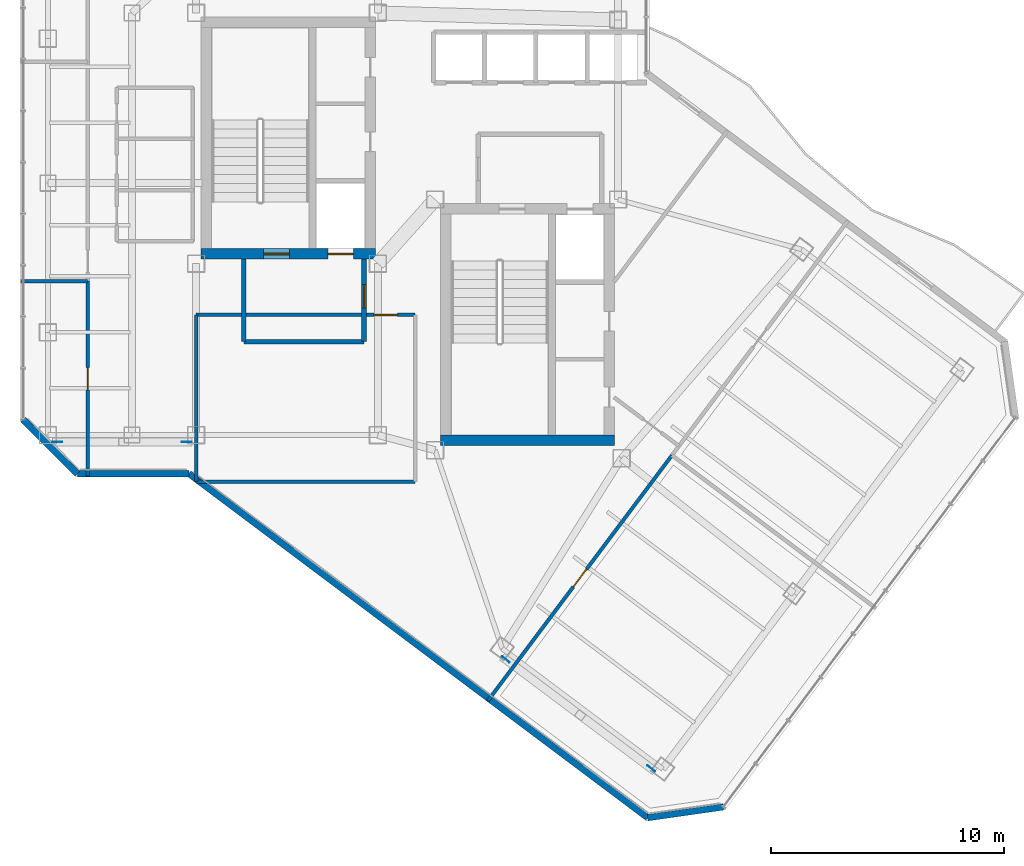
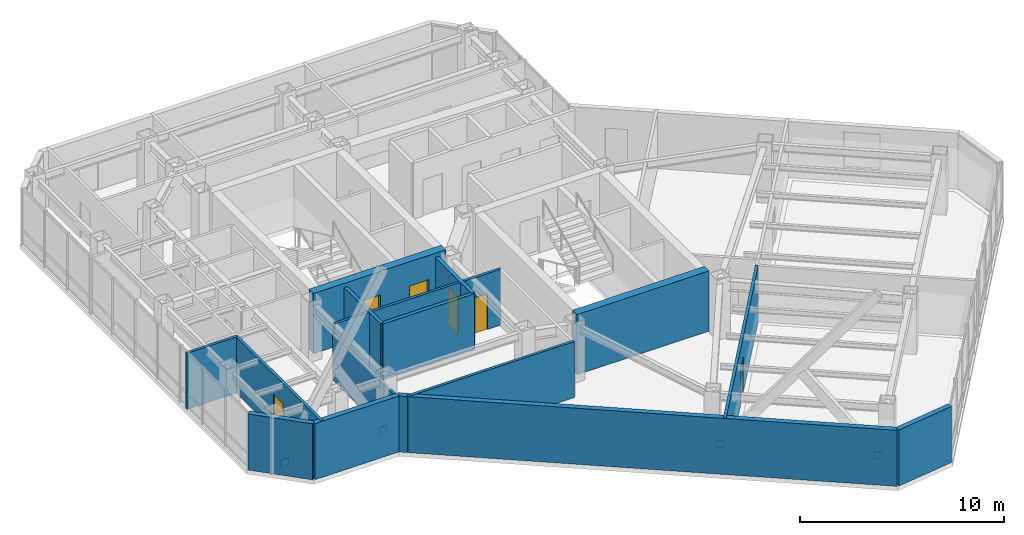
# One storey, part 19 of 24: 15 walls, 6 doors, 4 plates, 6 openings.
"""IFC4 building model written with IfcOpenShell, lengths in metres."""

import ifcopenshell
import ifcopenshell.guid

model = None  # the IFC model being written
_history = None  # IfcOwnerHistory: only IFC2X3 demands one
_inside = {}  # id of a spatial element -> (the spatial element, [elements in it])
_under = {}  # id of a project, library or spatial element -> (it, [spatial elements below it])
_declared = {}  # id of a project -> (the project, [libraries it declares])
_typed = {}  # id of a type object -> (the type object, [elements of that type])
_made_of = {}  # id of a material, layer set ... -> (it, [elements and type objects made of it])


def new_model(schema):
    """Start an empty IFC model of exactly this schema.

    Asked for "IFC4X3", IfcOpenShell would pick the latest addendum, in which some entities
    have other attributes; the version numbers below select the first issue.
    IFC2X3 requires an IfcOwnerHistory on every rooted entity: one is made here for all.
    """
    global model, _history
    if schema == "IFC4X3":
        model = ifcopenshell.file(schema_version=(4, 3, 0, 0))
    else:
        model = ifcopenshell.file(schema=schema)
    _inside.clear()
    _under.clear()
    _declared.clear()
    _typed.clear()
    _made_of.clear()
    _history = None
    if model.schema == "IFC2X3":
        org = make("IfcOrganization", Name="unknown")
        user = make(
            "IfcPersonAndOrganization",
            ThePerson=make("IfcPerson", FamilyName="unknown"),
            TheOrganization=org,
        )
        app = make(
            "IfcApplication",
            ApplicationDeveloper=org,
            Version="unknown",
            ApplicationFullName="unknown",
            ApplicationIdentifier="unknown",
        )
        _history = make(
            "IfcOwnerHistory",
            OwningUser=user,
            OwningApplication=app,
            ChangeAction="ADDED",
            CreationDate=0,
        )
    return model


def make(cls, **values):
    """One entity of the class cls with the attributes given. An attribute that is None is left unset."""
    return model.create_entity(
        cls, **{name: value for name, value in values.items() if value is not None}
    )


def rooted(cls, **values):
    """An entity with a GlobalId (a new one), such as an element, a storey or a relation."""
    return make(cls, GlobalId=ifcopenshell.guid.new(), OwnerHistory=_history, **values)


def si_unit(unit_type, name, prefix=None):
    """IfcSIUnit, for example si_unit("LENGTHUNIT", "METRE", prefix="MILLI")."""
    return make("IfcSIUnit", UnitType=unit_type, Prefix=prefix, Name=name)


def assignment(units):
    """IfcUnitAssignment: the units of a project."""
    return None if units is None else make("IfcUnitAssignment", Units=units)


def point(xyz):
    """IfcCartesianPoint."""
    return None if xyz is None else make("IfcCartesianPoint", Coordinates=xyz)


def direction(xyz):
    """IfcDirection."""
    return None if xyz is None else make("IfcDirection", DirectionRatios=xyz)


def frame(location, z_axis=None, x_axis=None):
    """IfcAxis2Placement3D, a coordinate frame: its origin and axes. An axis left out is left unset."""
    return make(
        "IfcAxis2Placement3D",
        Location=point(location),
        Axis=direction(z_axis),
        RefDirection=direction(x_axis),
    )


def frame_2d(location, x_axis=None):
    """IfcAxis2Placement2D, a coordinate frame in the plane: its origin and x axis."""
    return make(
        "IfcAxis2Placement2D", Location=point(location), RefDirection=direction(x_axis)
    )


def origin():
    """The frame at (0, 0, 0) with its axes left unset."""
    return frame((0.0, 0.0, 0.0))


def origin_2d():
    """The frame at (0, 0) in the plane with its x axis left unset."""
    return frame_2d((0.0, 0.0))


def place(relative_to, where):
    """IfcLocalPlacement: puts the frame where relative to a parent placement (None: the world)."""
    return make(
        "IfcLocalPlacement", PlacementRelTo=relative_to, RelativePlacement=where
    )


def context(
    kind, dimensions, precision=None, world=None, true_north=None, identifier=None
):
    """IfcGeometricRepresentationContext, for example the 3D "Model" context."""
    return make(
        "IfcGeometricRepresentationContext",
        ContextIdentifier=identifier,
        ContextType=kind,
        CoordinateSpaceDimension=dimensions,
        Precision=precision,
        WorldCoordinateSystem=world,
        TrueNorth=true_north,
    )


def subcontext(parent, identifier, kind, view, scale=None):
    """IfcGeometricRepresentationSubContext, for example "Body" below "Model"."""
    return make(
        "IfcGeometricRepresentationSubContext",
        ContextIdentifier=identifier,
        ContextType=kind,
        ParentContext=parent,
        TargetScale=scale,
        TargetView=view,
    )


def project(units=None, contexts=None):
    """IfcProject with its units and contexts."""
    return rooted(
        "IfcProject",
        Name="project",
        RepresentationContexts=contexts,
        UnitsInContext=assignment(units),
    )


def spatial(cls, under=None, at=None, **own):
    """A site, building, storey or space (cls), placed at a placement, below another one or the project."""
    s = rooted(cls, ObjectPlacement=at, **own)
    if under is not None:
        _under.setdefault(under.id(), (under, []))[1].append(s)
    return s


def profile(cls, at=None, kind="AREA", **sizes):
    """A parametric profile (cls). Its sizes go by their IFC names, for example OverallWidth=200.0."""
    return make(cls, ProfileType=kind, Position=at, **sizes)


def rectangle(**sizes):
    """IfcRectangleProfileDef."""
    return profile("IfcRectangleProfileDef", **sizes)


def extrude(swept, where, along, depth):
    """IfcExtrudedAreaSolid: the profile swept, set in the frame where, extruded along a direction by depth."""
    return make(
        "IfcExtrudedAreaSolid",
        SweptArea=swept,
        Position=where,
        ExtrudedDirection=direction(along),
        Depth=depth,
    )


def shape(context_of_items, identifier, shape_type, items):
    """IfcShapeRepresentation: the items that make up one representation, for example the "Body"."""
    return make(
        "IfcShapeRepresentation",
        ContextOfItems=context_of_items,
        RepresentationIdentifier=identifier,
        RepresentationType=shape_type,
        Items=items,
    )


def material(Name=None, Category=None):
    """IfcMaterial."""
    return make("IfcMaterial", Name=Name, Category=Category)


def layer(
    of_material, thickness, ventilated=None, Name=None, Category=None, Priority=None
):
    """IfcMaterialLayer: one layer of a wall or slab, of a material (None: an air gap)."""
    return make(
        "IfcMaterialLayer",
        Material=of_material,
        LayerThickness=thickness,
        IsVentilated=ventilated,
        Name=Name,
        Category=Category,
        Priority=Priority,
    )


def layer_set(layers, Name=None):
    """IfcMaterialLayerSet."""
    return make("IfcMaterialLayerSet", MaterialLayers=layers, LayerSetName=Name)


def made_of(thing, what):
    """Note that an element or type object is made of a material, layer set ...; save() writes the relation."""
    if what is not None:
        _made_of.setdefault(what.id(), (what, []))[1].append(thing)
    return thing


def type_object(cls, material=None, **own):
    """A type object (cls), such as IfcWallType, which elements share."""
    return made_of(rooted(cls, **own), material)


def element(
    cls,
    number,
    at=None,
    inside=None,
    cuts=None,
    type_object=None,
    material=None,
    context=None,
    identifier="Body",
    shape_type=None,
    held_by="IfcProductDefinitionShape",
    body=None,
    shapes=None,
    **own,
):
    """One element of the class cls, such as IfcWall. Its Tag is "e" and its number.

    at: its placement. inside: the storey or other place that contains it. cuts: it is an
    opening in that element (IfcRelVoidsElement). A single representation is given by context,
    identifier, shape_type and body (its items); several are given by shapes. held_by: the class
    of the entity that holds the representations. save() writes the other relations.
    """
    e = rooted(cls, Tag="e%d" % number, ObjectPlacement=at, **own)
    if body is not None:
        shapes = [shape(context, identifier, shape_type, body)]
    if shapes is not None:
        e.Representation = make(held_by, Representations=shapes)
    if inside is not None:
        _inside.setdefault(inside.id(), (inside, []))[1].append(e)
    if cuts is not None:
        rooted(
            "IfcRelVoidsElement", RelatingBuildingElement=cuts, RelatedOpeningElement=e
        )
    if type_object is not None:
        _typed.setdefault(type_object.id(), (type_object, []))[1].append(e)
    return made_of(e, material)


def fill(opening, filler):
    """IfcRelFillsElement: the door or window that sits in an opening."""
    return rooted(
        "IfcRelFillsElement",
        RelatingOpeningElement=opening,
        RelatedBuildingElement=filler,
    )


def aggregate(whole, parts):
    """IfcRelAggregates: a whole, such as a stair, and the parts it consists of."""
    return rooted("IfcRelAggregates", RelatingObject=whole, RelatedObjects=parts)


def save(model, path):
    """Write the relations noted so far, then the file.

    IfcRelAggregates (storeys below a building ...), IfcRelContainedInSpatialStructure (elements
    in a storey), IfcRelDefinesByType, IfcRelAssociatesMaterial and IfcRelDeclares: one each for
    every whole, place, type object, material and project.
    """
    for whole, parts in _under.values():
        aggregate(whole, parts)
    for where, things in _inside.values():
        rooted(
            "IfcRelContainedInSpatialStructure",
            RelatedElements=things,
            RelatingStructure=where,
        )
    for kind, things in _typed.values():
        rooted("IfcRelDefinesByType", RelatedObjects=things, RelatingType=kind)
    for what, things in _made_of.values():
        rooted("IfcRelAssociatesMaterial", RelatedObjects=things, RelatingMaterial=what)
    for by, libraries in _declared.values():
        rooted("IfcRelDeclares", RelatingContext=by, RelatedDefinitions=libraries)
    model.write(path)


model = new_model("IFC4")

# Units and contexts
model_context = context("Model", 3, precision=1e-05, world=origin(), true_north=direction((0.0, 1.0)))
body_context = subcontext(model_context, "Body", "Model", "MODEL_VIEW")
ifc_project = project(units=[si_unit("LENGTHUNIT", "METRE"), si_unit("AREAUNIT", "SQUARE_METRE"), si_unit("VOLUMEUNIT", "CUBIC_METRE"), si_unit("PLANEANGLEUNIT", "RADIAN"), si_unit("MASSUNIT", "GRAM", prefix="KILO")], contexts=[model_context])

# Site, building, storey
site_placement = place(None, origin())
site = spatial("IfcSite", under=ifc_project, at=site_placement, CompositionType="ELEMENT")
building_placement = place(site_placement, origin())
building = spatial("IfcBuilding", under=site, at=building_placement, Name="Hatsunagi Terrace Concourse", CompositionType="ELEMENT")
storey_placement = place(building_placement, frame((0.0, 0.0, 202.35009765625)))
storey = spatial("IfcBuildingStorey", under=building, at=storey_placement, Name="L53", CompositionType="ELEMENT", Elevation=202.35009765625)

# Plates
ifc_material_1 = material(Name="Steel SN490C", Category="steel")
ifc_layer_1 = layer(ifc_material_1, 0.031982421875)
ifc_layer_set_1 = layer_set([ifc_layer_1], Name="XBraceNodeCapPlate_32")
plate_type = type_object("IfcPlateType", Name="XBraceNodeCapPlate_32", PredefinedType="USERDEFINED", material=ifc_layer_set_1)
for number, where, z_axis, x_axis, name in (
    (1, (19.60009765625, 24.89990234375, 0.22998046875), (0.0, 0.0, 1.0), (1.0, 0.0, 0.0), "Cast-In Core and Node Embed Plate GP-02 EP-XB-L53-W1-AB"),
    (2, (25.14990234375, 24.89990234375, 0.22998046875), (0.0, 0.0, 1.0), (1.0, 0.0, 0.0), "Cast-In Core and Node Embed Plate GP-02 EP-XB-L53-W1-BB"),
    (3, (38.83203125, 15.575927734375, 0.22998046875), (0.0, 0.0, 1.0), (0.799999996291, -0.600000004945, 0.0), "Cast-In Core and Node Embed Plate GP-02 EP-XB-L53-SE-AB"),
    (4, (45.072021484375, 10.89599609375, 0.22998046875), (0.0, 0.0, 1.0), (0.799999996291, -0.600000004945, 0.0), "Cast-In Core and Node Embed Plate GP-02 EP-XB-L53-SE-BB"),
):
    element("IfcPlate", number, at=place(storey_placement, frame(where, z_axis=z_axis, x_axis=x_axis)), inside=storey, type_object=plate_type, Name=name, ObjectType="GUSSET_PLATE", PredefinedType="USERDEFINED", context=body_context, shape_type="SweptSolid", body=[
        extrude(rectangle(XDim=0.419921875, YDim=0.031982421875, at=origin_2d()), origin(), (0.0, 0.0, 1.0), 0.419921875),
    ])

# Wall, openings, doors
ifc_material_2 = material(Name="Concrete Fc42", Category="concrete")
ifc_layer_2 = layer(ifc_material_2, 0.449951171875)
ifc_layer_set_2 = layer_set([ifc_layer_2], Name="CoreShearWall_Fc42_450")
wall_type_1 = type_object("IfcWallType", Name="CoreShearWall_Fc42_450", PredefinedType="SHEAR", material=ifc_layer_set_2)
wall_1_placement = place(storey_placement, frame((25.77001953125, 32.965087890625, 0.0), z_axis=(0.0, 0.0, 1.0), x_axis=(1.0, 0.0, 0.0)))
wall_1 = element("IfcWall", 5, at=wall_1_placement, inside=storey, type_object=wall_type_1, Name="Core A Shear Wall S L53", PredefinedType="SHEAR", context=body_context, shape_type="SweptSolid", body=[
    extrude(rectangle(XDim=7.47998046875, YDim=0.449951171875, at=frame_2d((3.739990234375, 0.0))), origin(), (0.0, 0.0, 1.0), 3.599853515625),
])
opening_1_placement = place(wall_1_placement, frame((2.679931640625, 0.0, 0.0)))
opening_1 = element("IfcOpeningElement", 6, at=opening_1_placement, cuts=wall_1, Name="Opening DR-110S", PredefinedType="OPENING", context=body_context, shape_type="SweptSolid", body=[
    extrude(rectangle(XDim=1.10009765625, YDim=2.199951171875, at=frame_2d((0.550048828125, 1.10009765625))), frame((0.0, 0.23486328125, 0.0), z_axis=(0.0, -1.0, 0.0), x_axis=(1.0, 0.0, 0.0)), (0.0, 0.0, 1.0), 0.469970703125),
])
opening_2_placement = place(wall_1_placement, frame((5.429931640625, 0.0, 0.0)))
opening_2 = element("IfcOpeningElement", 7, at=opening_2_placement, cuts=wall_1, Name="Opening LD-01", PredefinedType="OPENING", context=body_context, shape_type="SweptSolid", body=[
    extrude(rectangle(XDim=1.10009765625, YDim=2.14990234375, at=frame_2d((0.550048828125, 1.074951171875))), frame((0.0, 0.23486328125, 0.0), z_axis=(0.0, -1.0, 0.0), x_axis=(1.0, 0.0, 0.0)), (0.0, 0.0, 1.0), 0.469970703125),
])
ifc_material_3 = material(Name="Stainless steel", Category="steel")
door_type_1 = type_object("IfcDoorType", Name="LiftLandingDoor_LD01", OperationType="SLIDING_TO_LEFT", PredefinedType="USERDEFINED", material=ifc_material_3)
door_1_placement = place(opening_2_placement, origin())
door_1 = element("IfcDoor", 8, at=door_1_placement, inside=storey, type_object=door_type_1, Name="Lift landing door FF-01 L53", ObjectType="SLIDING_LANDING_DOOR", OperationType="SLIDING_TO_LEFT", OverallHeight=2.14990234375, OverallWidth=1.10009765625, PredefinedType="USERDEFINED", context=body_context, shape_type="SweptSolid", body=[
    extrude(rectangle(XDim=1.10009765625, YDim=2.14990234375, at=frame_2d((0.550048828125, 1.074951171875))), frame((0.0, 0.02490234375, 0.0), z_axis=(0.0, -1.0, 0.0), x_axis=(1.0, 0.0, 0.0)), (0.0, 0.0, 1.0), 0.050048828125),
])
fill(opening_2, door_1)
ifc_material_4 = material(Name="Painted steel", Category="steel")
door_type_2 = type_object("IfcDoorType", Name="StairFireDoor_EI60_1100", OperationType="NOTDEFINED", PredefinedType="DOOR", material=ifc_material_4)
door_2_placement = place(opening_1_placement, origin())
door_2 = element("IfcDoor", 9, at=door_2_placement, inside=storey, type_object=door_type_2, Name="Stair ST-A Exit Door L53", OperationType="SINGLE_SWING_LEFT", OverallHeight=2.199951171875, OverallWidth=1.10009765625, PredefinedType="DOOR", context=body_context, shape_type="SweptSolid", body=[
    extrude(rectangle(XDim=1.10009765625, YDim=2.199951171875, at=frame_2d((0.550048828125, 1.10009765625))), frame((0.0, 0.02490234375, 0.0), z_axis=(0.0, -1.0, 0.0), x_axis=(1.0, 0.0, 0.0)), (0.0, 0.0, 1.0), 0.050048828125),
])
fill(opening_1, door_2)

# Walls
wall_2_placement = place(storey_placement, frame((36.0400390625, 24.965087890625, 0.0), z_axis=(0.0, 0.0, 1.0), x_axis=(1.0, 0.0, 0.0)))
element("IfcWall", 10, at=wall_2_placement, inside=storey, type_object=wall_type_1, Name="Core B Shear Wall S L53", PredefinedType="SHEAR", context=body_context, shape_type="SweptSolid", body=[
    extrude(rectangle(XDim=7.4599609375, YDim=0.449951171875, at=frame_2d((3.72998046875, 0.0))), origin(), (0.0, 0.0, 1.0), 3.599853515625),
])
ifc_material_5 = material(Name="Acoustic mineral board", Category="gypsum")
ifc_layer_3 = layer(ifc_material_5, 0.14990234375)
ifc_layer_set_3 = layer_set([ifc_layer_3], Name="PartitionWall_EI60_150")
wall_type_2 = type_object("IfcWallType", Name="PartitionWall_EI60_150", PredefinedType="PARTITIONING", material=ifc_layer_set_3)
wall_3_placement = place(storey_placement, frame((25.550048828125, 23.199951171875, 0.0), z_axis=(0.0, 0.0, 1.0), x_axis=(1.0, 0.0, 0.0)))
element("IfcWall", 11, at=wall_3_placement, inside=storey, type_object=wall_type_2, Name="Interior Partition IW-L53-025", PredefinedType="PARTITIONING", context=body_context, shape_type="SweptSolid", body=[
    extrude(rectangle(XDim=9.39990234375, YDim=0.14990234375, at=frame_2d((4.699951171875, 0.0))), origin(), (0.0, 0.0, 1.0), 3.349853515625),
])

# Wall, opening, door
wall_4_placement = place(storey_placement, frame((25.550048828125, 30.35009765625, 0.0), z_axis=(0.0, 0.0, 1.0), x_axis=(1.0, 0.0, 0.0)))
wall_4 = element("IfcWall", 12, at=wall_4_placement, inside=storey, type_object=wall_type_2, Name="Interior Partition IW-L53-026", PredefinedType="PARTITIONING", context=body_context, shape_type="SweptSolid", body=[
    extrude(rectangle(XDim=9.39990234375, YDim=0.14990234375, at=frame_2d((4.699951171875, 0.0))), origin(), (0.0, 0.0, 1.0), 3.349853515625),
])
opening_3_placement = place(wall_4_placement, frame((7.637939453125, 0.0, 0.0)))
opening_3 = element("IfcOpeningElement", 13, at=opening_3_placement, cuts=wall_4, Name="Opening DR-100S", PredefinedType="OPENING", context=body_context, shape_type="SweptSolid", body=[
    extrude(rectangle(XDim=1.0, YDim=2.14990234375, at=frame_2d((0.5, 1.074951171875))), frame((0.0, 0.0849609375, 0.0), z_axis=(0.0, -1.0, 0.0), x_axis=(1.0, 0.0, 0.0)), (0.0, 0.0, 1.0), 0.169921875),
])
ifc_material_6 = material(Name="Hardwood timber", Category="wood")
door_type_3 = type_object("IfcDoorType", Name="SuiteDoor_EI30_1000", OperationType="NOTDEFINED", PredefinedType="DOOR", material=ifc_material_6)
door_3_placement = place(opening_3_placement, origin())
door_3 = element("IfcDoor", 14, at=door_3_placement, inside=storey, type_object=door_type_3, Name="Breakout Pantry L53-RECL1 Door", OperationType="SINGLE_SWING_RIGHT", OverallHeight=2.14990234375, OverallWidth=1.0, PredefinedType="DOOR", context=body_context, shape_type="SweptSolid", body=[
    extrude(rectangle(XDim=1.0, YDim=2.14990234375, at=frame_2d((0.5, 1.074951171875))), frame((0.0, 0.02490234375, 0.0), z_axis=(0.0, -1.0, 0.0), x_axis=(1.0, 0.0, 0.0)), (0.0, 0.0, 1.0), 0.050048828125),
])
fill(opening_3, door_3)

# Walls
wall_5_placement = place(storey_placement, frame((25.550048828125, 23.199951171875, 0.0), z_axis=(0.0, 0.0, 1.0), x_axis=(0.0, 1.0, 0.0)))
element("IfcWall", 15, at=wall_5_placement, inside=storey, type_object=wall_type_2, Name="Interior Partition IW-L53-027", PredefinedType="PARTITIONING", context=body_context, shape_type="SweptSolid", body=[
    extrude(rectangle(XDim=7.150146484375, YDim=0.14990234375, at=frame_2d((3.5751953125, 0.0))), origin(), (0.0, 0.0, 1.0), 2.7568359375),
])
wall_6_placement = place(storey_placement, frame((18.0400390625, 31.800048828125, 0.0), z_axis=(0.0, 0.0, 1.0), x_axis=(1.0, 0.0, 0.0)))
element("IfcWall", 16, at=wall_6_placement, inside=storey, type_object=wall_type_2, Name="Interior Partition IW-L53-029", PredefinedType="PARTITIONING", context=body_context, shape_type="SweptSolid", body=[
    extrude(rectangle(XDim=2.85986328125, YDim=0.14990234375, at=frame_2d((1.429931640625, 0.0))), origin(), (0.0, 0.0, 1.0), 3.349853515625),
])

# Wall, opening, door
wall_7_placement = place(storey_placement, frame((20.89990234375, 23.43994140625, 0.0), z_axis=(0.0, 0.0, 1.0), x_axis=(0.0, 1.0, 0.0)))
wall_7 = element("IfcWall", 17, at=wall_7_placement, inside=storey, type_object=wall_type_2, Name="Interior Partition IW-L53-030", PredefinedType="PARTITIONING", context=body_context, shape_type="SweptSolid", body=[
    extrude(rectangle(XDim=8.360107421875, YDim=0.14990234375, at=frame_2d((4.18017578125, 0.0))), origin(), (0.0, 0.0, 1.0), 3.349853515625),
])
opening_4_placement = place(wall_7_placement, frame((3.705078125, 0.0, 0.0)))
opening_4 = element("IfcOpeningElement", 18, at=opening_4_placement, cuts=wall_7, Name="Opening DR-095", PredefinedType="OPENING", context=body_context, shape_type="SweptSolid", body=[
    extrude(rectangle(XDim=0.949951171875, YDim=2.14990234375, at=frame_2d((0.47509765625, 1.074951171875))), frame((0.0, 0.0849609375, 0.0), z_axis=(0.0, -1.0, 0.0), x_axis=(1.0, 0.0, 0.0)), (0.0, 0.0, 1.0), 0.169921875),
])
ifc_material_7 = material(Name="Hardwood timber", Category="wood")
door_type_4 = type_object("IfcDoorType", Name="InteriorSuiteDoor_EI30_950", OperationType="NOTDEFINED", PredefinedType="DOOR", material=ifc_material_7)
door_4_placement = place(opening_4_placement, origin())
door_4 = element("IfcDoor", 19, at=door_4_placement, inside=storey, type_object=door_type_4, Name="Boardroom L53-OW1 Door", OperationType="SINGLE_SWING_RIGHT", OverallHeight=2.14990234375, OverallWidth=0.949951171875, PredefinedType="DOOR", context=body_context, shape_type="SweptSolid", body=[
    extrude(rectangle(XDim=0.949951171875, YDim=2.14990234375, at=frame_2d((0.47509765625, 1.074951171875))), frame((0.0, 0.02490234375, 0.0), z_axis=(0.0, -1.0, 0.0), x_axis=(1.0, 0.0, 0.0)), (0.0, 0.0, 1.0), 0.050048828125),
])
fill(opening_4, door_4)

wall_8_placement = place(storey_placement, frame((38.06396484375, 13.802001953125, 0.0), z_axis=(0.0, 0.0, 1.0), x_axis=(0.599997031734, 0.800002226191, 0.0)))
wall_8 = element("IfcWall", 20, at=wall_8_placement, inside=storey, type_object=wall_type_2, Name="Interior Partition IW-L53-040", PredefinedType="PARTITIONING", context=body_context, shape_type="SweptSolid", body=[
    extrude(rectangle(XDim=13.16015625, YDim=0.14990234375, at=frame_2d((6.580078125, 0.0))), origin(), (0.0, 0.0, 1.0), 3.349853515625),
])
opening_5_placement = place(wall_8_placement, frame((6.10498046875, 0.0, 0.0)))
opening_5 = element("IfcOpeningElement", 21, at=opening_5_placement, cuts=wall_8, Name="Opening DR-095", PredefinedType="OPENING", context=body_context, shape_type="SweptSolid", body=[
    extrude(rectangle(XDim=0.949951171875, YDim=2.14990234375, at=frame_2d((0.47509765625, 1.074951171875))), frame((0.0, 0.0849609375, 0.0), z_axis=(0.0, -1.0, 0.0), x_axis=(1.0, 0.0, 0.0)), (0.0, 0.0, 1.0), 0.169921875),
])
door_5_placement = place(opening_5_placement, origin())
door_5 = element("IfcDoor", 22, at=door_5_placement, inside=storey, type_object=door_type_4, Name="Design Studio L53-OSE1 Door", OperationType="SINGLE_SWING_RIGHT", OverallHeight=2.14990234375, OverallWidth=0.949951171875, PredefinedType="DOOR", context=body_context, shape_type="SweptSolid", body=[
    extrude(rectangle(XDim=0.949951171875, YDim=2.14990234375, at=frame_2d((0.47509765625, 1.074951171875))), frame((0.0, 0.02490234375, 0.0), z_axis=(0.0, -1.0, 0.0), x_axis=(1.0, 0.0, 0.0)), (0.0, 0.0, 1.0), 0.050048828125),
])
fill(opening_5, door_5)

# Walls
ifc_material_8 = material(Name="Acoustic mineral board", Category="gypsum")
ifc_layer_4 = layer(ifc_material_8, 0.199951171875)
ifc_layer_set_4 = layer_set([ifc_layer_4], Name="ShaftWall_EI120_200")
wall_type_3 = type_object("IfcWallType", Name="ShaftWall_EI120_200", PredefinedType="STANDARD", material=ifc_layer_set_4)
wall_9_placement = place(storey_placement, frame((27.60009765625, 29.199951171875, 0.0), z_axis=(0.0, 0.0, 1.0), x_axis=(1.0, 0.0, 0.0)))
element("IfcWall", 23, at=wall_9_placement, inside=storey, type_object=wall_type_3, Name="Interior Partition IW-L53-005", PredefinedType="STANDARD", context=body_context, shape_type="SweptSolid", body=[
    extrude(rectangle(XDim=5.14990234375, YDim=0.199951171875, at=frame_2d((2.574951171875, 0.0))), origin(), (0.0, 0.0, 1.0), 3.349853515625),
])
wall_10_placement = place(storey_placement, frame((27.60009765625, 29.199951171875, 0.0), z_axis=(0.0, 0.0, 1.0), x_axis=(0.0, 1.0, 0.0)))
element("IfcWall", 24, at=wall_10_placement, inside=storey, type_object=wall_type_3, Name="Interior Partition IW-L53-006", PredefinedType="STANDARD", context=body_context, shape_type="SweptSolid", body=[
    extrude(rectangle(XDim=3.5400390625, YDim=0.199951171875, at=frame_2d((1.77001953125, 0.0))), origin(), (0.0, 0.0, 1.0), 3.349853515625),
])

# Wall, opening, door
wall_11_placement = place(storey_placement, frame((32.75, 29.199951171875, 0.0), z_axis=(0.0, 0.0, 1.0), x_axis=(0.0, 1.0, 0.0)))
wall_11 = element("IfcWall", 25, at=wall_11_placement, inside=storey, type_object=wall_type_3, Name="Interior Partition IW-L53-007", PredefinedType="STANDARD", context=body_context, shape_type="SweptSolid", body=[
    extrude(rectangle(XDim=3.5400390625, YDim=0.199951171875, at=frame_2d((1.77001953125, 0.0))), origin(), (0.0, 0.0, 1.0), 3.349853515625),
])
opening_6_placement = place(wall_11_placement, frame((1.449951171875, 0.0, 0.0)))
opening_6 = element("IfcOpeningElement", 26, at=opening_6_placement, cuts=wall_11, Name="Opening DR-100F", PredefinedType="OPENING", context=body_context, shape_type="SweptSolid", body=[
    extrude(rectangle(XDim=1.0, YDim=2.199951171875, at=frame_2d((0.5, 1.10009765625))), frame((0.0, 0.10986328125, 0.0), z_axis=(0.0, -1.0, 0.0), x_axis=(1.0, 0.0, 0.0)), (0.0, 0.0, 1.0), 0.219970703125),
])
ifc_material_9 = material(Name="Painted steel", Category="steel")
door_type_5 = type_object("IfcDoorType", Name="FireDoor_EI60_1000", OperationType="NOTDEFINED", PredefinedType="DOOR", material=ifc_material_9)
door_6_placement = place(opening_6_placement, origin())
door_6 = element("IfcDoor", 27, at=door_6_placement, inside=storey, type_object=door_type_5, Name="Firefighting Lobby A Door L53", OperationType="SINGLE_SWING_RIGHT", OverallHeight=2.199951171875, OverallWidth=1.0, PredefinedType="DOOR", context=body_context, shape_type="SweptSolid", body=[
    extrude(rectangle(XDim=1.0, YDim=2.199951171875, at=frame_2d((0.5, 1.10009765625))), frame((0.0, 0.02490234375, 0.0), z_axis=(0.0, -1.0, 0.0), x_axis=(1.0, 0.0, 0.0)), (0.0, 0.0, 1.0), 0.050048828125),
])
fill(opening_6, door_6)

# Walls
ifc_material_10 = material(Name="Autoclaved Lightweight Concrete and Terracotta Cladding", Category="masonry")
ifc_layer_5 = layer(ifc_material_10, 0.280029296875)
ifc_layer_set_5 = layer_set([ifc_layer_5], Name="TerracottaSpandrelWall_280")
wall_type_4 = type_object("IfcWallType", Name="TerracottaSpandrelWall_280", PredefinedType="STANDARD", material=ifc_layer_set_5)
wall_12_placement = place(storey_placement, frame((48.1630859375, 9.25, 0.0), z_axis=(0.0, 0.0, 1.0), x_axis=(-0.989979263428, -0.141212810973, 0.0)))
element("IfcWall", 28, at=wall_12_placement, inside=storey, type_object=wall_type_4, Name="Exterior Spandrel Wall EW-L53-04", PredefinedType="STANDARD", context=body_context, shape_type="SweptSolid", body=[
    extrude(rectangle(XDim=3.278076171875, YDim=0.280029296875, at=frame_2d((1.63916015625, 0.0))), origin(), (0.0, 0.0, 1.0), 3.349853515625),
])
wall_13_placement = place(storey_placement, frame((44.91796875, 8.787109375, 0.0), z_axis=(0.0, 0.0, 1.0), x_axis=(-0.800004765927, 0.599993645378, 0.0)))
element("IfcWall", 29, at=wall_13_placement, inside=storey, type_object=wall_type_4, Name="Exterior Spandrel Wall EW-L53-05", PredefinedType="STANDARD", context=body_context, shape_type="SweptSolid", body=[
    extrude(rectangle(XDim=24.58837890625, YDim=0.280029296875, at=frame_2d((12.294189453125, 0.0))), origin(), (0.0, 0.0, 1.0), 3.349853515625),
])
wall_14_placement = place(storey_placement, frame((25.2470703125, 23.5400390625, 0.0), z_axis=(0.0, 0.0, 1.0), x_axis=(-1.0, 0.0, 0.0)))
element("IfcWall", 30, at=wall_14_placement, inside=storey, type_object=wall_type_4, Name="Exterior Spandrel Wall EW-L53-06", PredefinedType="STANDARD", context=body_context, shape_type="SweptSolid", body=[
    extrude(rectangle(XDim=4.7890625, YDim=0.280029296875, at=frame_2d((2.39453125, 0.0))), origin(), (0.0, 0.0, 1.0), 3.349853515625),
])
wall_15_placement = place(storey_placement, frame((20.4580078125, 23.5400390625, 0.0), z_axis=(0.0, 0.0, 1.0), x_axis=(-0.707144017911, 0.707069542501, 0.0)))
element("IfcWall", 31, at=wall_15_placement, inside=storey, type_object=wall_type_4, Name="Exterior Spandrel Wall EW-L53-07", PredefinedType="STANDARD", context=body_context, shape_type="SweptSolid", body=[
    extrude(rectangle(XDim=3.278076171875, YDim=0.280029296875, at=frame_2d((1.63916015625, 0.0))), origin(), (0.0, 0.0, 1.0), 3.349853515625),
])

save(model, "model.ifc")
